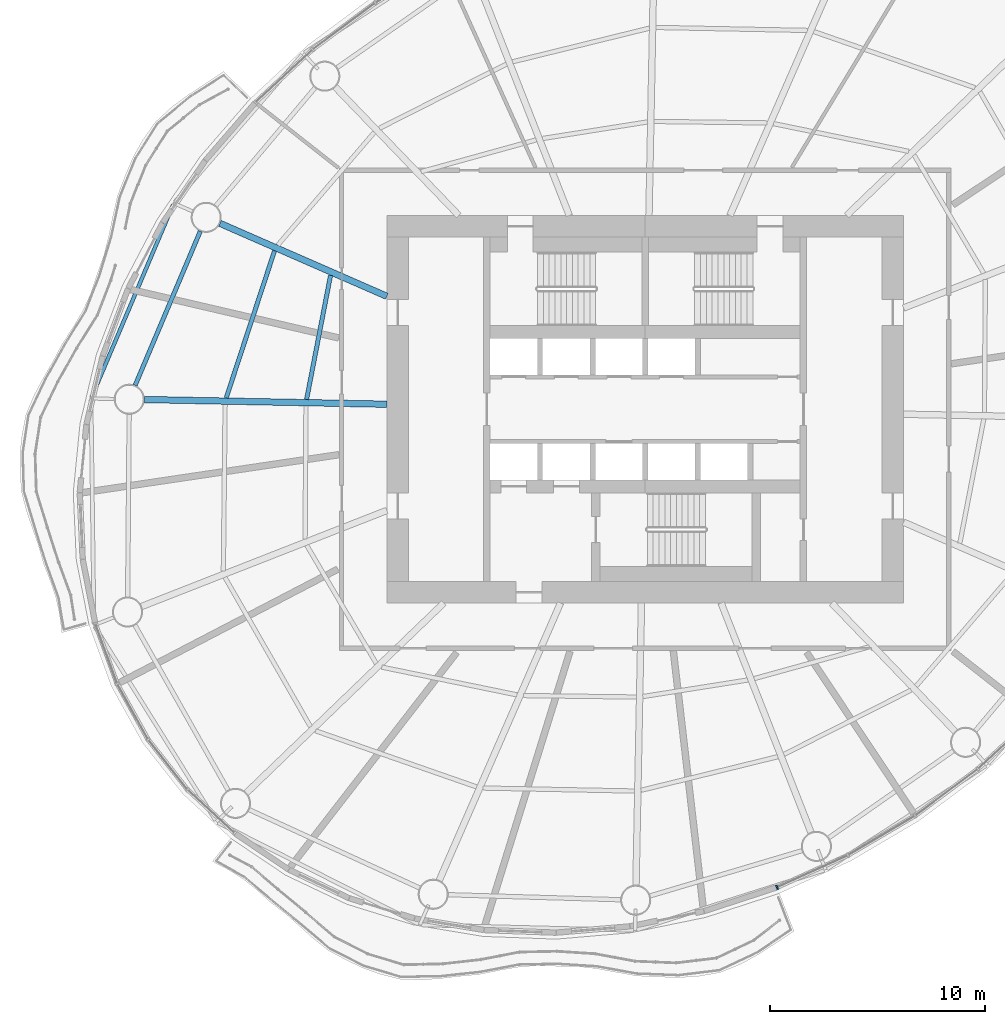
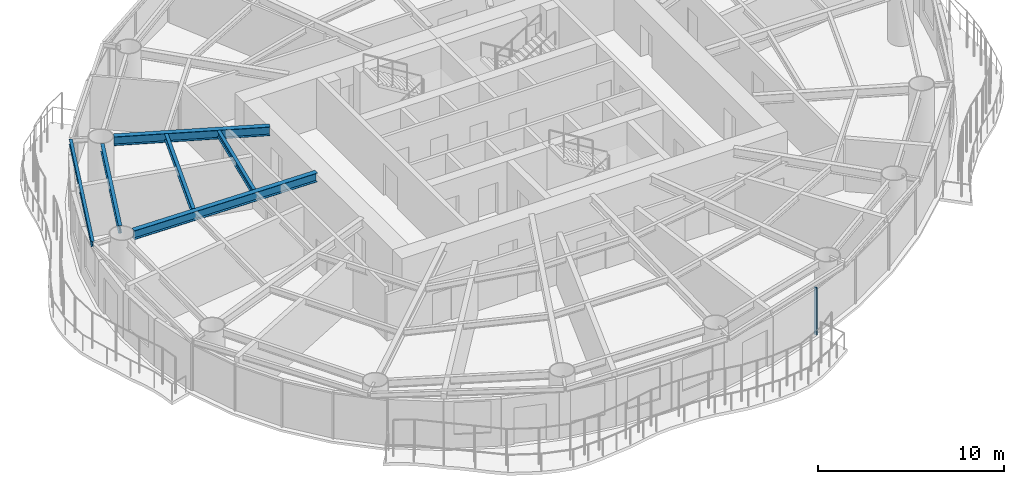
# One storey, part 3 of 15: 6 beams, 1 member, 1 element without a shape of its own.
"""IFC4 building model written with IfcOpenShell, lengths in metres."""

import ifcopenshell
import ifcopenshell.guid

model = None  # the IFC model being written
_history = None  # IfcOwnerHistory: only IFC2X3 demands one
_inside = {}  # id of a spatial element -> (the spatial element, [elements in it])
_under = {}  # id of a project, library or spatial element -> (it, [spatial elements below it])
_declared = {}  # id of a project -> (the project, [libraries it declares])
_typed = {}  # id of a type object -> (the type object, [elements of that type])
_made_of = {}  # id of a material, layer set ... -> (it, [elements and type objects made of it])


def new_model(schema):
    """Start an empty IFC model of exactly this schema.

    Asked for "IFC4X3", IfcOpenShell would pick the latest addendum, in which some entities
    have other attributes; the version numbers below select the first issue.
    IFC2X3 requires an IfcOwnerHistory on every rooted entity: one is made here for all.
    """
    global model, _history
    if schema == "IFC4X3":
        model = ifcopenshell.file(schema_version=(4, 3, 0, 0))
    else:
        model = ifcopenshell.file(schema=schema)
    _inside.clear()
    _under.clear()
    _declared.clear()
    _typed.clear()
    _made_of.clear()
    _history = None
    if model.schema == "IFC2X3":
        org = make("IfcOrganization", Name="unknown")
        user = make(
            "IfcPersonAndOrganization",
            ThePerson=make("IfcPerson", FamilyName="unknown"),
            TheOrganization=org,
        )
        app = make(
            "IfcApplication",
            ApplicationDeveloper=org,
            Version="unknown",
            ApplicationFullName="unknown",
            ApplicationIdentifier="unknown",
        )
        _history = make(
            "IfcOwnerHistory",
            OwningUser=user,
            OwningApplication=app,
            ChangeAction="ADDED",
            CreationDate=0,
        )
    return model


def make(cls, **values):
    """One entity of the class cls with the attributes given. An attribute that is None is left unset."""
    return model.create_entity(
        cls, **{name: value for name, value in values.items() if value is not None}
    )


def rooted(cls, **values):
    """An entity with a GlobalId (a new one), such as an element, a storey or a relation."""
    return make(cls, GlobalId=ifcopenshell.guid.new(), OwnerHistory=_history, **values)


def si_unit(unit_type, name, prefix=None):
    """IfcSIUnit, for example si_unit("LENGTHUNIT", "METRE", prefix="MILLI")."""
    return make("IfcSIUnit", UnitType=unit_type, Prefix=prefix, Name=name)


def assignment(units):
    """IfcUnitAssignment: the units of a project."""
    return None if units is None else make("IfcUnitAssignment", Units=units)


def point(xyz):
    """IfcCartesianPoint."""
    return None if xyz is None else make("IfcCartesianPoint", Coordinates=xyz)


def direction(xyz):
    """IfcDirection."""
    return None if xyz is None else make("IfcDirection", DirectionRatios=xyz)


def frame(location, z_axis=None, x_axis=None):
    """IfcAxis2Placement3D, a coordinate frame: its origin and axes. An axis left out is left unset."""
    return make(
        "IfcAxis2Placement3D",
        Location=point(location),
        Axis=direction(z_axis),
        RefDirection=direction(x_axis),
    )


def frame_2d(location, x_axis=None):
    """IfcAxis2Placement2D, a coordinate frame in the plane: its origin and x axis."""
    return make(
        "IfcAxis2Placement2D", Location=point(location), RefDirection=direction(x_axis)
    )


def origin():
    """The frame at (0, 0, 0) with its axes left unset."""
    return frame((0.0, 0.0, 0.0))


def origin_2d():
    """The frame at (0, 0) in the plane with its x axis left unset."""
    return frame_2d((0.0, 0.0))


def place(relative_to, where):
    """IfcLocalPlacement: puts the frame where relative to a parent placement (None: the world)."""
    return make(
        "IfcLocalPlacement", PlacementRelTo=relative_to, RelativePlacement=where
    )


def context(
    kind, dimensions, precision=None, world=None, true_north=None, identifier=None
):
    """IfcGeometricRepresentationContext, for example the 3D "Model" context."""
    return make(
        "IfcGeometricRepresentationContext",
        ContextIdentifier=identifier,
        ContextType=kind,
        CoordinateSpaceDimension=dimensions,
        Precision=precision,
        WorldCoordinateSystem=world,
        TrueNorth=true_north,
    )


def subcontext(parent, identifier, kind, view, scale=None):
    """IfcGeometricRepresentationSubContext, for example "Body" below "Model"."""
    return make(
        "IfcGeometricRepresentationSubContext",
        ContextIdentifier=identifier,
        ContextType=kind,
        ParentContext=parent,
        TargetScale=scale,
        TargetView=view,
    )


def project(units=None, contexts=None):
    """IfcProject with its units and contexts."""
    return rooted(
        "IfcProject",
        Name="project",
        RepresentationContexts=contexts,
        UnitsInContext=assignment(units),
    )


def spatial(cls, under=None, at=None, **own):
    """A site, building, storey or space (cls), placed at a placement, below another one or the project."""
    s = rooted(cls, ObjectPlacement=at, **own)
    if under is not None:
        _under.setdefault(under.id(), (under, []))[1].append(s)
    return s


def profile(cls, at=None, kind="AREA", **sizes):
    """A parametric profile (cls). Its sizes go by their IFC names, for example OverallWidth=200.0."""
    return make(cls, ProfileType=kind, Position=at, **sizes)


def rectangle(**sizes):
    """IfcRectangleProfileDef."""
    return profile("IfcRectangleProfileDef", **sizes)


def i_section(**sizes):
    """IfcIShapeProfileDef."""
    return profile("IfcIShapeProfileDef", **sizes)


def extrude(swept, where, along, depth):
    """IfcExtrudedAreaSolid: the profile swept, set in the frame where, extruded along a direction by depth."""
    return make(
        "IfcExtrudedAreaSolid",
        SweptArea=swept,
        Position=where,
        ExtrudedDirection=direction(along),
        Depth=depth,
    )


def shape(context_of_items, identifier, shape_type, items):
    """IfcShapeRepresentation: the items that make up one representation, for example the "Body"."""
    return make(
        "IfcShapeRepresentation",
        ContextOfItems=context_of_items,
        RepresentationIdentifier=identifier,
        RepresentationType=shape_type,
        Items=items,
    )


def material(Name=None, Category=None):
    """IfcMaterial."""
    return make("IfcMaterial", Name=Name, Category=Category)


def material_profile(
    of_material, cross_section, Name=None, Category=None, Priority=None
):
    """IfcMaterialProfile: a cross section and its material."""
    return make(
        "IfcMaterialProfile",
        Name=Name,
        Material=of_material,
        Profile=cross_section,
        Priority=Priority,
        Category=Category,
    )


def profile_set(profiles, Name=None, composite=None):
    """IfcMaterialProfileSet."""
    return make(
        "IfcMaterialProfileSet",
        Name=Name,
        MaterialProfiles=profiles,
        CompositeProfile=composite,
    )


def made_of(thing, what):
    """Note that an element or type object is made of a material, layer set ...; save() writes the relation."""
    if what is not None:
        _made_of.setdefault(what.id(), (what, []))[1].append(thing)
    return thing


def type_object(cls, material=None, **own):
    """A type object (cls), such as IfcWallType, which elements share."""
    return made_of(rooted(cls, **own), material)


def element(
    cls,
    number,
    at=None,
    inside=None,
    cuts=None,
    type_object=None,
    material=None,
    context=None,
    identifier="Body",
    shape_type=None,
    held_by="IfcProductDefinitionShape",
    body=None,
    shapes=None,
    **own,
):
    """One element of the class cls, such as IfcWall. Its Tag is "e" and its number.

    at: its placement. inside: the storey or other place that contains it. cuts: it is an
    opening in that element (IfcRelVoidsElement). A single representation is given by context,
    identifier, shape_type and body (its items); several are given by shapes. held_by: the class
    of the entity that holds the representations. save() writes the other relations.
    """
    e = rooted(cls, Tag="e%d" % number, ObjectPlacement=at, **own)
    if body is not None:
        shapes = [shape(context, identifier, shape_type, body)]
    if shapes is not None:
        e.Representation = make(held_by, Representations=shapes)
    if inside is not None:
        _inside.setdefault(inside.id(), (inside, []))[1].append(e)
    if cuts is not None:
        rooted(
            "IfcRelVoidsElement", RelatingBuildingElement=cuts, RelatedOpeningElement=e
        )
    if type_object is not None:
        _typed.setdefault(type_object.id(), (type_object, []))[1].append(e)
    return made_of(e, material)


def aggregate(whole, parts):
    """IfcRelAggregates: a whole, such as a stair, and the parts it consists of."""
    return rooted("IfcRelAggregates", RelatingObject=whole, RelatedObjects=parts)


def save(model, path):
    """Write the relations noted so far, then the file.

    IfcRelAggregates (storeys below a building ...), IfcRelContainedInSpatialStructure (elements
    in a storey), IfcRelDefinesByType, IfcRelAssociatesMaterial and IfcRelDeclares: one each for
    every whole, place, type object, material and project.
    """
    for whole, parts in _under.values():
        aggregate(whole, parts)
    for where, things in _inside.values():
        rooted(
            "IfcRelContainedInSpatialStructure",
            RelatedElements=things,
            RelatingStructure=where,
        )
    for kind, things in _typed.values():
        rooted("IfcRelDefinesByType", RelatedObjects=things, RelatingType=kind)
    for what, things in _made_of.values():
        rooted("IfcRelAssociatesMaterial", RelatedObjects=things, RelatingMaterial=what)
    for by, libraries in _declared.values():
        rooted("IfcRelDeclares", RelatingContext=by, RelatedDefinitions=libraries)
    model.write(path)


model = new_model("IFC4")

# Units and contexts
model_context = context("Model", 3, precision=1e-05, world=origin(), true_north=direction((0.0, 1.0)))
body_context = subcontext(model_context, "Body", "Model", "MODEL_VIEW")
ifc_project = project(units=[si_unit("LENGTHUNIT", "METRE"), si_unit("AREAUNIT", "SQUARE_METRE"), si_unit("VOLUMEUNIT", "CUBIC_METRE"), si_unit("PLANEANGLEUNIT", "RADIAN"), si_unit("MASSUNIT", "GRAM", prefix="KILO")], contexts=[model_context])

# Site, building, storey
site_placement = place(None, origin())
site = spatial("IfcSite", under=ifc_project, at=site_placement, CompositionType="ELEMENT")
building_placement = place(site_placement, origin())
building = spatial("IfcBuilding", under=site, at=building_placement, Name="Vermilion Reach Broadcast Tower", CompositionType="ELEMENT")
storey_placement = place(building_placement, frame((0.0, 0.0, 168.60009765625)))
storey = spatial("IfcBuildingStorey", under=building, at=storey_placement, Name="L40", CompositionType="ELEMENT", Elevation=168.60009765625)

# Beams
ifc_material_1 = material(Name="Steel S355J2", Category="steel")
ifc_material_profile_1 = material_profile(ifc_material_1, i_section(OverallWidth=0.175048828125, OverallDepth=0.35009765625, WebThickness=0.007080078125, FlangeThickness=0.010986328125, at=origin_2d()), Name="S355J2 HN 350x175x7x11")
ifc_profile_set_1 = profile_set([ifc_material_profile_1], Name="Steel S355J2")
beam_type_1 = type_object("IfcBeamType", Name="EB3 HN 350x175x7x11", PredefinedType="BEAM", material=ifc_profile_set_1)
beam_1_placement = place(storey_placement, frame((-27.921875, 9.5, 3.27490234375), z_axis=(-0.390092585796, -0.920775637442, 0.0), x_axis=(0.920775637442, -0.390092585796, 0.0)))
element("IfcBeam", 1, at=beam_1_placement, inside=storey, type_object=beam_type_1, Name="Edge beam EB3-06", PredefinedType="BEAM", context=body_context, shape_type="SweptSolid", body=[
    extrude(i_section(OverallWidth=0.175048828125, OverallDepth=0.35009765625, WebThickness=0.007080078125, FlangeThickness=0.010986328125, at=origin_2d()), origin(), (0.0, 0.0, 1.0), 9.695068359375),
])
ifc_material_2 = material(Name="Steel S355J2", Category="steel")
ifc_material_profile_2 = material_profile(ifc_material_2, i_section(OverallWidth=0.300048828125, OverallDepth=0.587890625, WebThickness=0.011962890625, FlangeThickness=0.02001953125, at=origin_2d()), Name="S355J2 HM 588x300x12x20")
ifc_profile_set_2 = profile_set([ifc_material_profile_2], Name="Steel S355J2")
beam_type_2 = type_object("IfcBeamType", Name="G3 HM 588x300x12x20", PredefinedType="BEAM", material=ifc_profile_set_2)
beam_2_placement = place(storey_placement, frame((-18.0, 5.2451171875, 3.156005859375), z_axis=(-0.916287847036, 0.400520388213, 0.0), x_axis=(-0.400520388213, -0.916287847036, 0.0)))
element("IfcBeam", 2, at=beam_2_placement, inside=storey, type_object=beam_type_2, Name="Girder G3-06", PredefinedType="BEAM", context=body_context, shape_type="SweptSolid", body=[
    extrude(i_section(OverallWidth=0.300048828125, OverallDepth=0.587890625, WebThickness=0.011962890625, FlangeThickness=0.02001953125, at=origin_2d()), origin(), (0.0, 0.0, 1.0), 8.45458984375),
])
beam_3_placement = place(storey_placement, frame((-18.0, 0.232421875, 3.156005859375), z_axis=(-0.999812170888, 0.019380994401, 0.0), x_axis=(-0.019380994401, -0.999812170888, 0.0)))
element("IfcBeam", 3, at=beam_3_placement, inside=storey, type_object=beam_type_2, Name="Girder G3-07", PredefinedType="BEAM", context=body_context, shape_type="SweptSolid", body=[
    extrude(i_section(OverallWidth=0.300048828125, OverallDepth=0.587890625, WebThickness=0.011962890625, FlangeThickness=0.02001953125, at=origin_2d()), origin(), (0.0, 0.0, 1.0), 11.26171875),
])
ifc_material_3 = material(Name="Steel S355J2", Category="steel")
ifc_material_profile_3 = material_profile(ifc_material_3, i_section(OverallWidth=0.199951171875, OverallDepth=0.5, WebThickness=0.010009765625, FlangeThickness=0.01611328125, at=origin_2d()), Name="S355J2 HN 500x200x10x16")
ifc_profile_set_3 = profile_set([ifc_material_profile_3], Name="Steel S355J2")
beam_type_3 = type_object("IfcBeamType", Name="RB3 HN 500x200x10x16", PredefinedType="BEAM", material=ifc_profile_set_3)
beam_4_placement = place(storey_placement, frame((-26.660888671875, 8.266845703125, 3.199951171875), z_axis=(-0.389368386196, -0.921082113512, 0.0), x_axis=(0.921082113512, -0.389368386196, 0.0)))
element("IfcBeam", 4, at=beam_4_placement, inside=storey, type_object=beam_type_3, Name="Ring beam RB3-06", PredefinedType="BEAM", context=body_context, shape_type="SweptSolid", body=[
    extrude(i_section(OverallWidth=0.199951171875, OverallDepth=0.5, WebThickness=0.010009765625, FlangeThickness=0.01611328125, at=origin_2d()), origin(), (0.0, 0.0, 1.0), 7.771240234375),
])
ifc_material_4 = material(Name="Steel S355J2", Category="steel")
ifc_material_profile_4 = material_profile(ifc_material_4, i_section(OverallWidth=0.199951171875, OverallDepth=0.39990234375, WebThickness=0.008056640625, FlangeThickness=0.012939453125, at=origin_2d()), Name="S355J2 HN 400x200x8x13")
ifc_profile_set_4 = profile_set([ifc_material_profile_4], Name="Steel S355J2")
beam_type_4 = type_object("IfcBeamType", Name="SB3 HN 400x200x8x13", PredefinedType="BEAM", material=ifc_profile_set_4)
beam_5_placement = place(storey_placement, frame((-20.611328125, 6.222900390625, 3.25), z_axis=(-0.189462365782, -0.981887983404, 0.0), x_axis=(0.981887983404, -0.189462365782, 0.0)))
element("IfcBeam", 5, at=beam_5_placement, inside=storey, type_object=beam_type_4, Name="Secondary beam SB3-06-1", PredefinedType="BEAM", context=body_context, shape_type="SweptSolid", body=[
    extrude(i_section(OverallWidth=0.199951171875, OverallDepth=0.39990234375, WebThickness=0.008056640625, FlangeThickness=0.012939453125, at=origin_2d()), origin(), (0.0, 0.0, 1.0), 5.874755859375),
])
beam_6_placement = place(storey_placement, frame((-23.211669921875, 7.359375, 3.25), z_axis=(-0.312243016281, -0.950002262515, 0.0), x_axis=(0.950002262515, -0.312243016281, 0.0)))
element("IfcBeam", 6, at=beam_6_placement, inside=storey, type_object=beam_type_4, Name="Secondary beam SB3-06-2", PredefinedType="BEAM", context=body_context, shape_type="SweptSolid", body=[
    extrude(i_section(OverallWidth=0.199951171875, OverallDepth=0.39990234375, WebThickness=0.008056640625, FlangeThickness=0.012939453125, at=origin_2d()), origin(), (0.0, 0.0, 1.0), 7.19189453125),
])

# Curtain wall, member
ifc_material_5 = material(Name="Low-e laminated clear glass in aluminium frame", Category="aluminium")
curtain_wall_type = type_object("IfcCurtainWallType", Name="Slot curtain wall", PredefinedType="NOTDEFINED", material=ifc_material_5)
curtain_wall_placement = place(storey_placement, origin())
curtain_wall = element("IfcCurtainWall", 7, at=curtain_wall_placement, inside=storey, type_object=curtain_wall_type, Name="Slot curtain wall L40 34", PredefinedType="NOTDEFINED")
ifc_material_6 = material(Name="Anodised aluminium", Category="aluminium")
ifc_material_profile_5 = material_profile(ifc_material_6, rectangle(XDim=0.199951171875, YDim=0.080078125, at=origin_2d()), Name="Slot mullion 80 x 200")
ifc_profile_set_5 = profile_set([ifc_material_profile_5], Name="Anodised aluminium")
member_type = type_object("IfcMemberType", Name="Slot mullion 80 x 200", PredefinedType="MULLION", material=ifc_profile_set_5)
member_placement = place(storey_placement, frame((0.123291015625, -22.2021484375, 0.0), z_axis=(0.0, 0.0, 1.0), x_axis=(-0.361608303716, 0.93233011036, 0.0)))
member = element("IfcMember", 8, at=member_placement, type_object=member_type, Name="Slot mullion L40 34", PredefinedType="MULLION", context=body_context, shape_type="SweptSolid", body=[
    extrude(rectangle(XDim=0.199951171875, YDim=0.080078125, at=origin_2d()), origin(), (0.0, 0.0, 1.0), 3.099853515625),
])
aggregate(curtain_wall, [member])

save(model, "model.ifc")
